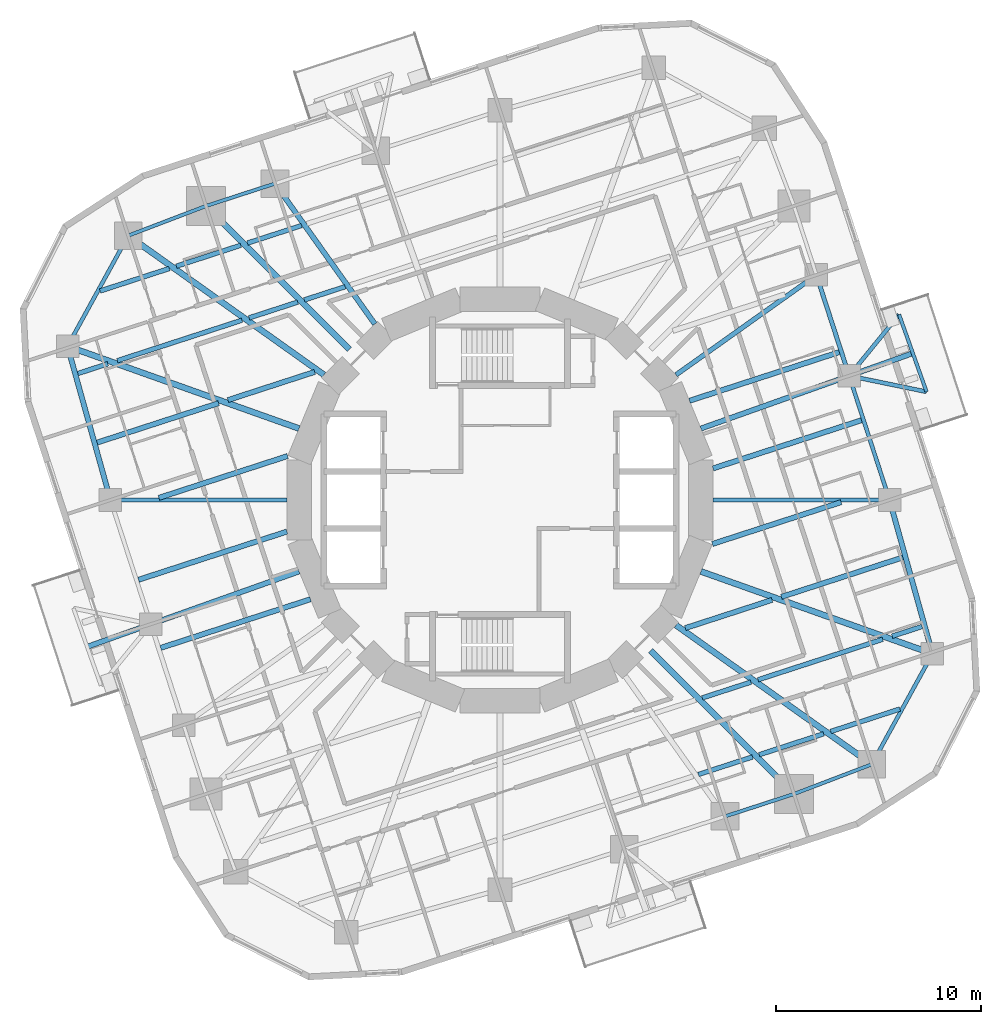
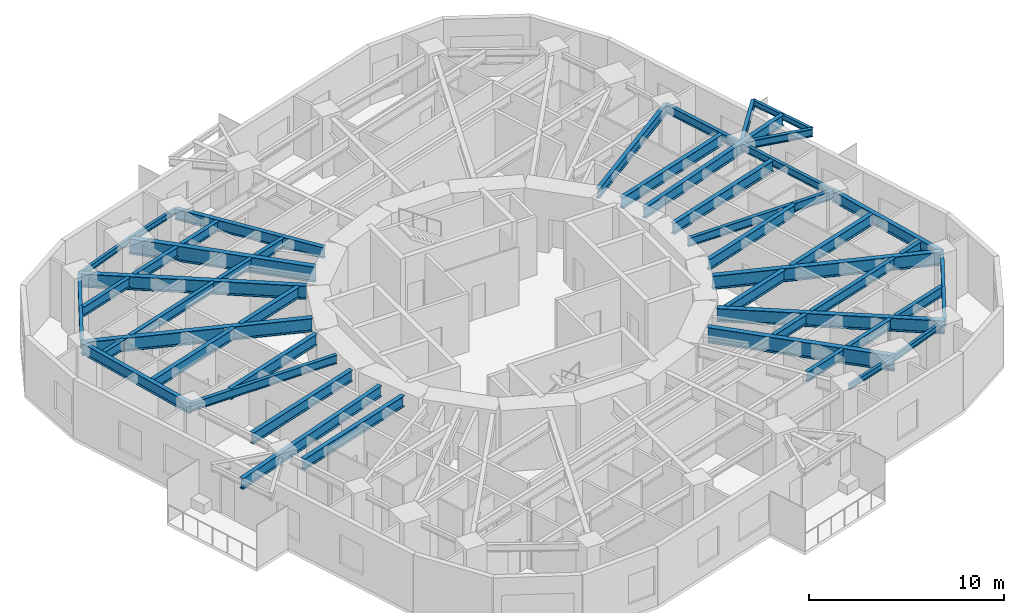
# One storey, part 2 of 12: 48 beams.
"""IFC4 building model written with IfcOpenShell, lengths in metres."""

from ifc_helpers import new_model, si_unit, direction, frame, origin, origin_2d, place, context, subcontext, project, spatial, i_section, extrude, material, material_profile, profile_set, type_object, element, save


model = new_model("IFC4")

# Units and contexts
model_context = context("Model", 3, precision=1e-05, world=origin(), true_north=direction((0.0, 1.0)))
body_context = subcontext(model_context, "Body", "Model", "MODEL_VIEW")
ifc_project = project(units=[si_unit("LENGTHUNIT", "METRE"), si_unit("AREAUNIT", "SQUARE_METRE"), si_unit("VOLUMEUNIT", "CUBIC_METRE"), si_unit("PLANEANGLEUNIT", "RADIAN"), si_unit("MASSUNIT", "GRAM", prefix="KILO")], contexts=[model_context])

# Site, building, storey
site_placement = place(None, origin())
site = spatial("IfcSite", under=ifc_project, at=site_placement, CompositionType="ELEMENT")
building_placement = place(site_placement, origin())
building = spatial("IfcBuilding", under=site, at=building_placement, Name="Nakasero Lantern House", CompositionType="ELEMENT")
storey_placement = place(building_placement, frame((0.0, 0.0, 149.5)))
storey = spatial("IfcBuildingStorey", under=building, at=storey_placement, Name="L36", CompositionType="ELEMENT", Elevation=149.5)

# Beams
ifc_material_1 = material(Name="Steel S355", Category="steel")
ifc_material_profile_1 = material_profile(ifc_material_1, i_section(OverallWidth=0.199462890625, OverallDepth=0.491943359375, WebThickness=0.01806640625, FlangeThickness=0.031982421875, FilletRadius=0.01025390625, at=origin_2d()), Name="UB 457x191x161")
ifc_profile_set_1 = profile_set([ifc_material_profile_1], Name="Steel S355")
beam_type_1 = type_object("IfcBeamType", Name="Balcony splay beam UB 457x191x161", PredefinedType="BEAM", material=ifc_profile_set_1)
for number, where, z_axis, x_axis, name in (
    (1, (17.060546875, 6.06591796875, 3.404052734375), (0.632127727159, 0.774864205236, 0.0), (-0.774864205236, 0.632127727159, 0.0), "Balcony splay beam L37 B4-C04A"),
    (2, (17.060546875, 6.06591796875, 3.404052734375), (0.979420272605, -0.201831438605, 0.0), (0.201831438605, 0.979420272605, 0.0), "Balcony splay beam L37 B4-C04B"),
):
    element("IfcBeam", number, at=place(storey_placement, frame(where, z_axis=z_axis, x_axis=x_axis)), inside=storey, type_object=beam_type_1, Name=name, PredefinedType="BEAM", context=body_context, shape_type="SweptSolid", body=[
        extrude(i_section(OverallWidth=0.199462890625, OverallDepth=0.491943359375, WebThickness=0.01806640625, FlangeThickness=0.031982421875, FilletRadius=0.01025390625, at=origin_2d()), origin(), (0.0, 0.0, 1.0), 3.858642578125),
    ])
ifc_material_2 = material(Name="Steel S355", Category="steel")
ifc_material_profile_2 = material_profile(ifc_material_2, i_section(OverallWidth=0.17138671875, OverallDepth=0.35498046875, WebThickness=0.00732421875, FlangeThickness=0.011474609375, FilletRadius=0.01025390625, at=origin_2d()), Name="UB 356x171x51")
ifc_profile_set_2 = profile_set([ifc_material_profile_2], Name="Steel S355")
beam_type_2 = type_object("IfcBeamType", Name="Balcony tie beam UB 356x171x51", PredefinedType="BEAM", material=ifc_profile_set_2)
beam_1_placement = place(storey_placement, frame((19.499755859375, 9.055908203125, 3.472412109375), z_axis=(0.335025321236, -0.942209124415, 0.0), x_axis=(0.942209124415, 0.335025321236, 0.0)))
element("IfcBeam", 3, at=beam_1_placement, inside=storey, type_object=beam_type_2, Name="Balcony tie beam L37 B4-C04", PredefinedType="BEAM", context=body_context, shape_type="SweptSolid", body=[
    extrude(i_section(OverallWidth=0.17138671875, OverallDepth=0.35498046875, WebThickness=0.00732421875, FlangeThickness=0.011474609375, FilletRadius=0.01025390625, at=origin_2d()), origin(), (0.0, 0.0, 1.0), 4.0),
])
ifc_material_3 = material(Name="Steel S355", Category="steel")
ifc_material_profile_3 = material_profile(ifc_material_3, i_section(OverallWidth=0.22900390625, OverallDepth=0.6123046875, WebThickness=0.011962890625, FlangeThickness=0.01953125, FilletRadius=0.0126953125, at=origin_2d()), Name="UB 610x229x125")
ifc_profile_set_3 = profile_set([ifc_material_profile_3], Name="Steel S355")
beam_type_3 = type_object("IfcBeamType", Name="Infill beam UB 610x229x125", PredefinedType="JOIST", material=ifc_profile_set_3)
beam_2_placement = place(storey_placement, frame((9.692626953125, -13.4111328125, 3.343994140625), z_axis=(0.951059855583, 0.309006716915, 0.0), x_axis=(-0.309006716915, 0.951059855583, 0.0)))
element("IfcBeam", 4, at=beam_2_placement, inside=storey, type_object=beam_type_3, Name="Infill beam L37 03.5", PredefinedType="JOIST", context=body_context, shape_type="SweptSolid", body=[
    extrude(i_section(OverallWidth=0.22900390625, OverallDepth=0.6123046875, WebThickness=0.011962890625, FlangeThickness=0.01953125, FilletRadius=0.0126953125, at=origin_2d()), origin(), (0.0, 0.0, 1.0), 2.78271484375),
])
beam_3_placement = place(storey_placement, frame((12.659423828125, -12.447265625, 3.343994140625), z_axis=(0.951057343237, 0.309014449297, 0.0), x_axis=(-0.309014449297, 0.951057343237, 0.0)))
element("IfcBeam", 5, at=beam_3_placement, inside=storey, type_object=beam_type_3, Name="Infill beam L37 03.6", PredefinedType="JOIST", context=body_context, shape_type="SweptSolid", body=[
    extrude(i_section(OverallWidth=0.22900390625, OverallDepth=0.6123046875, WebThickness=0.011962890625, FlangeThickness=0.01953125, FilletRadius=0.0126953125, at=origin_2d()), origin(), (0.0, 0.0, 1.0), 3.314208984375),
])
beam_4_placement = place(storey_placement, frame((16.15771484375, -11.310546875, 3.343994140625), z_axis=(0.951052231022, 0.309030182777, 0.0), x_axis=(-0.309030182777, 0.951052231022, 0.0)))
element("IfcBeam", 6, at=beam_4_placement, inside=storey, type_object=beam_type_3, Name="Infill beam L37 03.7", PredefinedType="JOIST", context=body_context, shape_type="SweptSolid", body=[
    extrude(i_section(OverallWidth=0.22900390625, OverallDepth=0.6123046875, WebThickness=0.011962890625, FlangeThickness=0.01953125, FilletRadius=0.0126953125, at=origin_2d()), origin(), (0.0, 0.0, 1.0), 3.555908203125),
])
beam_5_placement = place(storey_placement, frame((9.8818359375, -9.669677734375, 3.343994140625), z_axis=(0.95105846813, 0.30901098718, 0.0), x_axis=(-0.30901098718, 0.95105846813, 0.0)))
element("IfcBeam", 7, at=beam_5_placement, inside=storey, type_object=beam_type_3, Name="Infill beam L37 04.6", PredefinedType="JOIST", context=body_context, shape_type="SweptSolid", body=[
    extrude(i_section(OverallWidth=0.22900390625, OverallDepth=0.6123046875, WebThickness=0.011962890625, FlangeThickness=0.01953125, FilletRadius=0.0126953125, at=origin_2d()), origin(), (0.0, 0.0, 1.0), 2.499755859375),
])
beam_6_placement = place(storey_placement, frame((12.605712890625, -8.78466796875, 3.343994140625), z_axis=(0.951048625867, 0.309041277561, 0.0), x_axis=(-0.309041277561, 0.951048625867, 0.0)))
element("IfcBeam", 8, at=beam_6_placement, inside=storey, type_object=beam_type_3, Name="Infill beam L37 04.7", PredefinedType="JOIST", context=body_context, shape_type="SweptSolid", body=[
    extrude(i_section(OverallWidth=0.22900390625, OverallDepth=0.6123046875, WebThickness=0.011962890625, FlangeThickness=0.01953125, FilletRadius=0.0126953125, at=origin_2d()), origin(), (0.0, 0.0, 1.0), 6.408447265625),
])
beam_7_placement = place(storey_placement, frame((19.156494140625, -6.656005859375, 3.343994140625), z_axis=(0.951091008976, 0.308910816652, 0.0), x_axis=(-0.308910816652, 0.951091008976, 0.0)))
element("IfcBeam", 9, at=beam_7_placement, inside=storey, type_object=beam_type_3, Name="Infill beam L37 04.8", PredefinedType="JOIST", context=body_context, shape_type="SweptSolid", body=[
    extrude(i_section(OverallWidth=0.22900390625, OverallDepth=0.6123046875, WebThickness=0.011962890625, FlangeThickness=0.01953125, FilletRadius=0.0126953125, at=origin_2d()), origin(), (0.0, 0.0, 1.0), 1.54345703125),
])
beam_8_placement = place(storey_placement, frame((-20.62548828125, 6.1787109375, 3.343994140625), z_axis=(0.95105845859, 0.309011016544, 0.0), x_axis=(-0.309011016544, 0.95105845859, 0.0)))
element("IfcBeam", 10, at=beam_8_placement, inside=storey, type_object=beam_type_3, Name="Infill beam L37 11.1", PredefinedType="JOIST", context=body_context, shape_type="SweptSolid", body=[
    extrude(i_section(OverallWidth=0.22900390625, OverallDepth=0.6123046875, WebThickness=0.011962890625, FlangeThickness=0.01953125, FilletRadius=0.0126953125, at=origin_2d()), origin(), (0.0, 0.0, 1.0), 1.544677734375),
])
beam_9_placement = place(storey_placement, frame((-18.700439453125, 6.80419921875, 3.343994140625), z_axis=(0.951048625867, 0.309041277561, 0.0), x_axis=(-0.309041277561, 0.951048625867, 0.0)))
element("IfcBeam", 11, at=beam_9_placement, inside=storey, type_object=beam_type_3, Name="Infill beam L37 11.2", PredefinedType="JOIST", context=body_context, shape_type="SweptSolid", body=[
    extrude(i_section(OverallWidth=0.22900390625, OverallDepth=0.6123046875, WebThickness=0.011962890625, FlangeThickness=0.01953125, FilletRadius=0.0126953125, at=origin_2d()), origin(), (0.0, 0.0, 1.0), 6.408447265625),
])
beam_10_placement = place(storey_placement, frame((-12.25927734375, 8.897216796875, 3.343994140625), z_axis=(0.95105846813, 0.30901098718, 0.0), x_axis=(-0.30901098718, 0.95105846813, 0.0)))
element("IfcBeam", 12, at=beam_10_placement, inside=storey, type_object=beam_type_3, Name="Infill beam L37 11.3", PredefinedType="JOIST", context=body_context, shape_type="SweptSolid", body=[
    extrude(i_section(OverallWidth=0.22900390625, OverallDepth=0.6123046875, WebThickness=0.011962890625, FlangeThickness=0.01953125, FilletRadius=0.0126953125, at=origin_2d()), origin(), (0.0, 0.0, 1.0), 2.499755859375),
])
beam_11_placement = place(storey_placement, frame((-9.5615234375, 9.773681640625, 3.343994140625), z_axis=(0.951053739923, 0.30902553904, 0.0), x_axis=(-0.30902553904, 0.951053739923, 0.0)))
element("IfcBeam", 13, at=beam_11_placement, inside=storey, type_object=beam_type_3, Name="Infill beam L37 11.4", PredefinedType="JOIST", context=body_context, shape_type="SweptSolid", body=[
    extrude(i_section(OverallWidth=0.22900390625, OverallDepth=0.6123046875, WebThickness=0.011962890625, FlangeThickness=0.01953125, FilletRadius=0.0126953125, at=origin_2d()), origin(), (0.0, 0.0, 1.0), 2.09765625),
])
beam_12_placement = place(storey_placement, frame((-19.53955078125, 10.211669921875, 3.343994140625), z_axis=(0.951052231022, 0.309030182777, 0.0), x_axis=(-0.309030182777, 0.951052231022, 0.0)))
element("IfcBeam", 14, at=beam_12_placement, inside=storey, type_object=beam_type_3, Name="Infill beam L37 12.1", PredefinedType="JOIST", context=body_context, shape_type="SweptSolid", body=[
    extrude(i_section(OverallWidth=0.22900390625, OverallDepth=0.6123046875, WebThickness=0.011962890625, FlangeThickness=0.01953125, FilletRadius=0.0126953125, at=origin_2d()), origin(), (0.0, 0.0, 1.0), 3.555908203125),
])
beam_13_placement = place(storey_placement, frame((-15.8115234375, 11.423095703125, 3.343994140625), z_axis=(0.951057343237, 0.309014449297, 0.0), x_axis=(-0.309014449297, 0.951057343237, 0.0)))
element("IfcBeam", 15, at=beam_13_placement, inside=storey, type_object=beam_type_3, Name="Infill beam L37 12.2", PredefinedType="JOIST", context=body_context, shape_type="SweptSolid", body=[
    extrude(i_section(OverallWidth=0.22900390625, OverallDepth=0.6123046875, WebThickness=0.011962890625, FlangeThickness=0.01953125, FilletRadius=0.0126953125, at=origin_2d()), origin(), (0.0, 0.0, 1.0), 3.314208984375),
])
beam_14_placement = place(storey_placement, frame((-12.339111328125, 12.55126953125, 3.343994140625), z_axis=(0.951059855583, 0.309006716915, 0.0), x_axis=(-0.309006716915, 0.951059855583, 0.0)))
element("IfcBeam", 16, at=beam_14_placement, inside=storey, type_object=beam_type_3, Name="Infill beam L37 12.3", PredefinedType="JOIST", context=body_context, shape_type="SweptSolid", body=[
    extrude(i_section(OverallWidth=0.22900390625, OverallDepth=0.6123046875, WebThickness=0.011962890625, FlangeThickness=0.01953125, FilletRadius=0.0126953125, at=origin_2d()), origin(), (0.0, 0.0, 1.0), 2.78271484375),
])
ifc_material_4 = material(Name="Steel S355", Category="steel")
ifc_material_profile_4 = material_profile(ifc_material_4, i_section(OverallWidth=0.253662109375, OverallDepth=0.68359375, WebThickness=0.012451171875, FlangeThickness=0.01904296875, FilletRadius=0.01513671875, at=origin_2d()), Name="UB 686x254x140")
ifc_profile_set_4 = profile_set([ifc_material_profile_4], Name="Steel S355")
beam_type_4 = type_object("IfcBeamType", Name="Infill beam UB 686x254x140", PredefinedType="JOIST", material=ifc_profile_set_4)
beam_15_placement = place(storey_placement, frame((9.053466796875, -6.258544921875, 3.308349609375), z_axis=(0.951065863794, 0.308988224251, 0.0), x_axis=(-0.308988224251, 0.951065863794, 0.0)))
element("IfcBeam", 17, at=beam_15_placement, inside=storey, type_object=beam_type_4, Name="Infill beam L37 05.3", PredefinedType="JOIST", context=body_context, shape_type="SweptSolid", body=[
    extrude(i_section(OverallWidth=0.253662109375, OverallDepth=0.68359375, WebThickness=0.012451171875, FlangeThickness=0.01904296875, FilletRadius=0.01513671875, at=origin_2d()), origin(), (0.0, 0.0, 1.0), 4.45703125),
])
beam_16_placement = place(storey_placement, frame((13.74853515625, -4.733154296875, 3.308349609375), z_axis=(0.951054771624, 0.309022363871, 0.0), x_axis=(-0.309022363871, 0.951054771624, 0.0)))
element("IfcBeam", 18, at=beam_16_placement, inside=storey, type_object=beam_type_4, Name="Infill beam L37 05.4", PredefinedType="JOIST", context=body_context, shape_type="SweptSolid", body=[
    extrude(i_section(OverallWidth=0.253662109375, OverallDepth=0.68359375, WebThickness=0.012451171875, FlangeThickness=0.01904296875, FilletRadius=0.01513671875, at=origin_2d()), origin(), (0.0, 0.0, 1.0), 6.239013671875),
])
for number, where, z_axis, x_axis, name in (
    (19, (10.375244140625, -2.149169921875, 3.308349609375), (0.951051425994, 0.309032660271, 0.0), (-0.309032660271, 0.951051425994, 0.0), "Infill beam L37 06.2"),
    (20, (-16.666259765625, 0.10498046875, 3.308349609375), (0.951051425994, 0.309032660271, 0.0), (-0.309032660271, 0.951051425994, 0.0), "Infill beam L37 09.1"),
):
    element("IfcBeam", number, at=place(storey_placement, frame(where, z_axis=z_axis, x_axis=x_axis)), inside=storey, type_object=beam_type_4, Name=name, PredefinedType="JOIST", context=body_context, shape_type="SweptSolid", body=[
        extrude(i_section(OverallWidth=0.253662109375, OverallDepth=0.68359375, WebThickness=0.012451171875, FlangeThickness=0.01904296875, FilletRadius=0.01513671875, at=origin_2d()), origin(), (0.0, 0.0, 1.0), 6.61474609375),
    ])
beam_17_placement = place(storey_placement, frame((-19.68310546875, 2.804931640625, 3.308349609375), z_axis=(0.951058217804, 0.30901175762, 0.0), x_axis=(-0.30901175762, 0.951058217804, 0.0)))
element("IfcBeam", 21, at=beam_17_placement, inside=storey, type_object=beam_type_4, Name="Infill beam L37 10.1", PredefinedType="JOIST", context=body_context, shape_type="SweptSolid", body=[
    extrude(i_section(OverallWidth=0.253662109375, OverallDepth=0.68359375, WebThickness=0.012451171875, FlangeThickness=0.01904296875, FilletRadius=0.01513671875, at=origin_2d()), origin(), (0.0, 0.0, 1.0), 6.239990234375),
])
beam_18_placement = place(storey_placement, frame((-13.29248046875, 4.88134765625, 3.308349609375), z_axis=(0.951065863794, 0.308988224251, 0.0), x_axis=(-0.308988224251, 0.951065863794, 0.0)))
element("IfcBeam", 22, at=beam_18_placement, inside=storey, type_object=beam_type_4, Name="Infill beam L37 10.2", PredefinedType="JOIST", context=body_context, shape_type="SweptSolid", body=[
    extrude(i_section(OverallWidth=0.253662109375, OverallDepth=0.68359375, WebThickness=0.012451171875, FlangeThickness=0.01904296875, FilletRadius=0.01513671875, at=origin_2d()), origin(), (0.0, 0.0, 1.0), 4.45703125),
])
ifc_material_5 = material(Name="Steel S355", Category="steel")
ifc_material_profile_5 = material_profile(ifc_material_5, i_section(OverallWidth=0.255859375, OverallDepth=0.69287109375, WebThickness=0.014404296875, FlangeThickness=0.023681640625, FilletRadius=0.01513671875, at=origin_2d()), Name="UB 686x254x170")
ifc_profile_set_5 = profile_set([ifc_material_profile_5], Name="Steel S355")
beam_type_5 = type_object("IfcBeamType", Name="Infill beam UB 686x254x170", PredefinedType="JOIST", material=ifc_profile_set_5)
beam_19_placement = place(storey_placement, frame((-16.573486328125, -7.22509765625, 3.303466796875), z_axis=(0.951055290106, 0.309020768171, 0.0), x_axis=(-0.309020768171, 0.951055290106, 0.0)))
element("IfcBeam", 23, at=beam_19_placement, inside=storey, type_object=beam_type_5, Name="Infill beam L37 07.1", PredefinedType="JOIST", context=body_context, shape_type="SweptSolid", body=[
    extrude(i_section(OverallWidth=0.255859375, OverallDepth=0.69287109375, WebThickness=0.014404296875, FlangeThickness=0.023681640625, FilletRadius=0.01513671875, at=origin_2d()), origin(), (0.0, 0.0, 1.0), 7.692626953125),
])
for number, where, z_axis, x_axis, name in (
    (24, (10.407958984375, 1.541748046875, 3.303466796875), (0.95106204683, 0.308999972622, 0.0), (-0.308999972622, 0.95106204683, 0.0), "Infill beam L37 07.2"),
    (25, (-17.66455078125, -3.8994140625, 3.303466796875), (0.95106204683, 0.308999972622, 0.0), (-0.308999972622, 0.95106204683, 0.0), "Infill beam L37 08.1"),
):
    element("IfcBeam", number, at=place(storey_placement, frame(where, z_axis=z_axis, x_axis=x_axis)), inside=storey, type_object=beam_type_5, Name=name, PredefinedType="JOIST", context=body_context, shape_type="SweptSolid", body=[
        extrude(i_section(OverallWidth=0.255859375, OverallDepth=0.69287109375, WebThickness=0.014404296875, FlangeThickness=0.023681640625, FilletRadius=0.01513671875, at=origin_2d()), origin(), (0.0, 0.0, 1.0), 7.6298828125),
    ])
beam_20_placement = place(storey_placement, frame((9.25732421875, 4.847900390625, 3.303466796875), z_axis=(0.951055290106, 0.309020768171, 0.0), x_axis=(-0.309020768171, 0.951055290106, 0.0)))
element("IfcBeam", 26, at=beam_20_placement, inside=storey, type_object=beam_type_5, Name="Infill beam L37 08.2", PredefinedType="JOIST", context=body_context, shape_type="SweptSolid", body=[
    extrude(i_section(OverallWidth=0.255859375, OverallDepth=0.69287109375, WebThickness=0.014404296875, FlangeThickness=0.023681640625, FilletRadius=0.01513671875, at=origin_2d()), origin(), (0.0, 0.0, 1.0), 7.692626953125),
])
ifc_material_6 = material(Name="Steel S355", Category="steel")
ifc_material_profile_6 = material_profile(ifc_material_6, i_section(OverallWidth=0.300048828125, OverallDepth=0.97021484375, WebThickness=0.01611328125, FlangeThickness=0.02099609375, FilletRadius=0.030029296875, at=origin_2d()), Name="UB 1016x305x222")
ifc_profile_set_6 = profile_set([ifc_material_profile_6], Name="Steel S355")
beam_type_6 = type_object("IfcBeamType", Name="Primary beam UB 1016x305x222, span 9 to 12 m", PredefinedType="BEAM", material=ifc_profile_set_6)
for number, where, z_axis, x_axis, name in (
    (27, (-14.3642578125, 14.3642578125, 3.164794921875), (0.707106781187, -0.707106781187, 0.0), (0.707106781187, 0.707106781187, 0.0), "Primary beam L37 B4-C12"),
    (28, (14.3642578125, -14.3642578125, 3.164794921875), (-0.707106781187, 0.707106781187, 0.0), (-0.707106781187, -0.707106781187, 0.0), "Primary beam L37 B4-C24"),
):
    element("IfcBeam", number, at=place(storey_placement, frame(where, z_axis=z_axis, x_axis=x_axis)), inside=storey, type_object=beam_type_6, Name=name, PredefinedType="BEAM", context=body_context, shape_type="SweptSolid", body=[
        extrude(i_section(OverallWidth=0.300048828125, OverallDepth=0.97021484375, WebThickness=0.01611328125, FlangeThickness=0.02099609375, FilletRadius=0.030029296875, at=origin_2d()), origin(), (0.0, 0.0, 1.0), 9.906494140625),
    ])
ifc_material_7 = material(Name="Steel S355", Category="steel")
ifc_material_profile_7 = material_profile(ifc_material_7, i_section(OverallWidth=0.2099609375, OverallDepth=0.53662109375, WebThickness=0.0107421875, FlangeThickness=0.017333984375, FilletRadius=0.0126953125, at=origin_2d()), Name="UB 533x210x101")
ifc_profile_set_7 = profile_set([ifc_material_profile_7], Name="Steel S355")
beam_type_7 = type_object("IfcBeamType", Name="Primary beam UB 533x210x101, span 6 to 9 m", PredefinedType="BEAM", material=ifc_profile_set_7)
for number, where, z_axis, x_axis, name in (
    (29, (19.031494140625, 0.0, 3.381591796875), (-1.0, 0.0, 0.0), (0.0, -1.0, 0.0), "Primary beam L37 B4-C03"),
    (30, (-19.031494140625, 0.0, 3.381591796875), (1.0, 0.0, 0.0), (0.0, 1.0, 0.0), "Primary beam L37 B4-C15"),
):
    element("IfcBeam", number, at=place(storey_placement, frame(where, z_axis=z_axis, x_axis=x_axis)), inside=storey, type_object=beam_type_7, Name=name, PredefinedType="BEAM", context=body_context, shape_type="SweptSolid", body=[
        extrude(i_section(OverallWidth=0.2099609375, OverallDepth=0.53662109375, WebThickness=0.0107421875, FlangeThickness=0.017333984375, FilletRadius=0.0126953125, at=origin_2d()), origin(), (0.0, 0.0, 1.0), 8.62353515625),
    ])
ifc_material_8 = material(Name="Steel S355", Category="steel")
ifc_material_profile_8 = material_profile(ifc_material_8, i_section(OverallWidth=0.22900390625, OverallDepth=0.6123046875, WebThickness=0.011962890625, FlangeThickness=0.01953125, FilletRadius=0.0126953125, at=origin_2d()), Name="UB 610x229x125")
ifc_profile_set_8 = profile_set([ifc_material_profile_8], Name="Steel S355")
beam_type_8 = type_object("IfcBeamType", Name="Primary beam UB 610x229x125, span 6 to 9 m", PredefinedType="BEAM", material=ifc_profile_set_8)
beam_21_placement = place(storey_placement, frame((15.45947265625, 10.993408203125, 3.343994140625), z_axis=(-0.81495106139, -0.579529781409, 0.0), x_axis=(0.579529781409, -0.81495106139, 0.0)))
element("IfcBeam", 31, at=beam_21_placement, inside=storey, type_object=beam_type_8, Name="Primary beam L37 B4-C05", PredefinedType="BEAM", context=body_context, shape_type="SweptSolid", body=[
    extrude(i_section(OverallWidth=0.22900390625, OverallDepth=0.6123046875, WebThickness=0.011962890625, FlangeThickness=0.01953125, FilletRadius=0.0126953125, at=origin_2d()), origin(), (0.0, 0.0, 1.0), 8.41455078125),
])
ifc_material_9 = material(Name="Steel S355", Category="steel")
ifc_material_profile_9 = material_profile(ifc_material_9, i_section(OverallWidth=0.253662109375, OverallDepth=0.68359375, WebThickness=0.012451171875, FlangeThickness=0.01904296875, FilletRadius=0.01513671875, at=origin_2d()), Name="UB 686x254x140")
ifc_profile_set_9 = profile_set([ifc_material_profile_9], Name="Steel S355")
beam_type_9 = type_object("IfcBeamType", Name="Primary beam UB 686x254x140, span 6 to 9 m", PredefinedType="BEAM", material=ifc_profile_set_9)
beam_22_placement = place(storey_placement, frame((20.169921875, 7.17138671875, 3.308349609375), z_axis=(-0.942215625619, -0.335007036998, 0.0), x_axis=(0.335007036998, -0.942215625619, 0.0)))
element("IfcBeam", 32, at=beam_22_placement, inside=storey, type_object=beam_type_9, Name="Primary beam L37 B4-C04", PredefinedType="BEAM", context=body_context, shape_type="SweptSolid", body=[
    extrude(i_section(OverallWidth=0.253662109375, OverallDepth=0.68359375, WebThickness=0.012451171875, FlangeThickness=0.01904296875, FilletRadius=0.01513671875, at=origin_2d()), origin(), (0.0, 0.0, 1.0), 10.9853515625),
])
beam_23_placement = place(storey_placement, frame((-10.993408203125, 15.45947265625, 3.308349609375), z_axis=(0.579529781409, -0.81495106139, 0.0), x_axis=(0.81495106139, 0.579529781409, 0.0)))
element("IfcBeam", 33, at=beam_23_placement, inside=storey, type_object=beam_type_9, Name="Primary beam L37 B4-C11", PredefinedType="BEAM", context=body_context, shape_type="SweptSolid", body=[
    extrude(i_section(OverallWidth=0.253662109375, OverallDepth=0.68359375, WebThickness=0.012451171875, FlangeThickness=0.01904296875, FilletRadius=0.01513671875, at=origin_2d()), origin(), (0.0, 0.0, 1.0), 8.41455078125),
])
beam_24_placement = place(storey_placement, frame((-20.169921875, -7.17138671875, 3.308349609375), z_axis=(0.942215625619, 0.335007036998, 0.0), x_axis=(-0.335007036998, 0.942215625619, 0.0)))
element("IfcBeam", 34, at=beam_24_placement, inside=storey, type_object=beam_type_9, Name="Primary beam L37 B4-C16", PredefinedType="BEAM", context=body_context, shape_type="SweptSolid", body=[
    extrude(i_section(OverallWidth=0.253662109375, OverallDepth=0.68359375, WebThickness=0.012451171875, FlangeThickness=0.01904296875, FilletRadius=0.01513671875, at=origin_2d()), origin(), (0.0, 0.0, 1.0), 10.9853515625),
])
ifc_material_10 = material(Name="Steel S355", Category="steel")
ifc_material_profile_10 = material_profile(ifc_material_10, i_section(OverallWidth=0.29248046875, OverallDepth=0.8408203125, WebThickness=0.0146484375, FlangeThickness=0.02685546875, FilletRadius=0.017822265625, at=origin_2d()), Name="UB 838x292x194")
ifc_profile_set_10 = profile_set([ifc_material_profile_10], Name="Steel S355")
beam_type_10 = type_object("IfcBeamType", Name="Primary beam UB 838x292x194, span 12 to 15 m", PredefinedType="BEAM", material=ifc_profile_set_10)
for number, where, z_axis, x_axis, name in (
    (35, (21.129638671875, -7.5126953125, 3.229736328125), (-0.942213548974, 0.335012877559, 0.0), (-0.335012877559, -0.942213548974, 0.0), "Primary beam L37 B4-C02"),
    (36, (-21.129638671875, 7.5126953125, 3.229736328125), (0.942213548974, -0.335012877559, 0.0), (0.335012877559, 0.942213548974, 0.0), "Primary beam L37 B4-C14"),
):
    element("IfcBeam", number, at=place(storey_placement, frame(where, z_axis=z_axis, x_axis=x_axis)), inside=storey, type_object=beam_type_10, Name=name, PredefinedType="BEAM", context=body_context, shape_type="SweptSolid", body=[
        extrude(i_section(OverallWidth=0.29248046875, OverallDepth=0.8408203125, WebThickness=0.0146484375, FlangeThickness=0.02685546875, FilletRadius=0.017822265625, at=origin_2d()), origin(), (0.0, 0.0, 1.0), 12.00390625),
    ])
ifc_material_11 = material(Name="Steel S355", Category="steel")
ifc_material_profile_11 = material_profile(ifc_material_11, i_section(OverallWidth=0.29248046875, OverallDepth=0.8408203125, WebThickness=0.0146484375, FlangeThickness=0.02685546875, FilletRadius=0.017822265625, at=origin_2d()), Name="UB 838x292x194")
ifc_profile_set_11 = profile_set([ifc_material_profile_11], Name="Steel S355")
beam_type_11 = type_object("IfcBeamType", Name="Primary beam UB 838x292x194, span 9 to 12 m", PredefinedType="BEAM", material=ifc_profile_set_11)
for number, where, z_axis, x_axis, name in (
    (37, (18.1630859375, -12.916015625, 3.229736328125), (-0.814950738075, 0.579530236062, 0.0), (-0.579530236062, -0.814950738075, 0.0), "Primary beam L37 B4-C01"),
    (38, (-18.1630859375, 12.916015625, 3.229736328125), (0.814950738075, -0.579530236062, 0.0), (0.579530236062, 0.814950738075, 0.0), "Primary beam L37 B4-C13"),
):
    element("IfcBeam", number, at=place(storey_placement, frame(where, z_axis=z_axis, x_axis=x_axis)), inside=storey, type_object=beam_type_11, Name=name, PredefinedType="BEAM", context=body_context, shape_type="SweptSolid", body=[
        extrude(i_section(OverallWidth=0.29248046875, OverallDepth=0.8408203125, WebThickness=0.0146484375, FlangeThickness=0.02685546875, FilletRadius=0.017822265625, at=origin_2d()), origin(), (0.0, 0.0, 1.0), 11.73193359375),
    ])
ifc_material_12 = material(Name="Steel S355", Category="steel")
ifc_material_profile_12 = material_profile(ifc_material_12, i_section(OverallWidth=0.17138671875, OverallDepth=0.35498046875, WebThickness=0.00732421875, FlangeThickness=0.011474609375, FilletRadius=0.01025390625, at=origin_2d()), Name="UB 356x171x51")
ifc_profile_set_12 = profile_set([ifc_material_profile_12], Name="Steel S355")
beam_type_12 = type_object("IfcBeamType", Name="Ring beam UB 356x171x51", PredefinedType="BEAM", material=ifc_profile_set_12)
beam_25_placement = place(storey_placement, frame((-10.993408203125, 15.45947265625, 3.472412109375), z_axis=(-0.951059881727, -0.309006636447, 0.0), x_axis=(0.309006636447, -0.951059881727, 0.0)))
element("IfcBeam", 39, at=beam_25_placement, inside=storey, type_object=beam_type_12, Name="Ring beam L37 B4-C11", PredefinedType="BEAM", context=body_context, shape_type="SweptSolid", body=[
    extrude(i_section(OverallWidth=0.17138671875, OverallDepth=0.35498046875, WebThickness=0.00732421875, FlangeThickness=0.011474609375, FilletRadius=0.01025390625, at=origin_2d()), origin(), (0.0, 0.0, 1.0), 3.544189453125),
])
beam_26_placement = place(storey_placement, frame((-14.3642578125, 14.3642578125, 3.472412109375), z_axis=(-0.934400186194, -0.35622505813, 0.0), x_axis=(0.35622505813, -0.934400186194, 0.0)))
element("IfcBeam", 40, at=beam_26_placement, inside=storey, type_object=beam_type_12, Name="Ring beam L37 B4-C12", PredefinedType="BEAM", context=body_context, shape_type="SweptSolid", body=[
    extrude(i_section(OverallWidth=0.17138671875, OverallDepth=0.35498046875, WebThickness=0.00732421875, FlangeThickness=0.011474609375, FilletRadius=0.01025390625, at=origin_2d()), origin(), (0.0, 0.0, 1.0), 4.0654296875),
])
beam_27_placement = place(storey_placement, frame((10.993408203125, -15.45947265625, 3.472412109375), z_axis=(0.951059881727, 0.309006636447, 0.0), x_axis=(-0.309006636447, 0.951059881727, 0.0)))
element("IfcBeam", 41, at=beam_27_placement, inside=storey, type_object=beam_type_12, Name="Ring beam L37 B4-C23", PredefinedType="BEAM", context=body_context, shape_type="SweptSolid", body=[
    extrude(i_section(OverallWidth=0.17138671875, OverallDepth=0.35498046875, WebThickness=0.00732421875, FlangeThickness=0.011474609375, FilletRadius=0.01025390625, at=origin_2d()), origin(), (0.0, 0.0, 1.0), 3.544189453125),
])
beam_28_placement = place(storey_placement, frame((14.3642578125, -14.3642578125, 3.472412109375), z_axis=(0.934400186194, 0.35622505813, 0.0), x_axis=(-0.35622505813, 0.934400186194, 0.0)))
element("IfcBeam", 42, at=beam_28_placement, inside=storey, type_object=beam_type_12, Name="Ring beam L37 B4-C24", PredefinedType="BEAM", context=body_context, shape_type="SweptSolid", body=[
    extrude(i_section(OverallWidth=0.17138671875, OverallDepth=0.35498046875, WebThickness=0.00732421875, FlangeThickness=0.011474609375, FilletRadius=0.01025390625, at=origin_2d()), origin(), (0.0, 0.0, 1.0), 4.0654296875),
])
ifc_material_13 = material(Name="Steel S355", Category="steel")
ifc_material_profile_13 = material_profile(ifc_material_13, i_section(OverallWidth=0.18994140625, OverallDepth=0.453369140625, WebThickness=0.008544921875, FlangeThickness=0.0126953125, FilletRadius=0.01025390625, at=origin_2d()), Name="UB 457x191x67")
ifc_profile_set_13 = profile_set([ifc_material_profile_13], Name="Steel S355")
beam_type_13 = type_object("IfcBeamType", Name="Ring beam UB 457x191x67", PredefinedType="BEAM", material=ifc_profile_set_13)
beam_29_placement = place(storey_placement, frame((18.1630859375, -12.916015625, 3.42333984375), z_axis=(0.481261795861, 0.876576912681, 0.0), x_axis=(-0.876576912681, 0.481261795861, 0.0)))
element("IfcBeam", 43, at=beam_29_placement, inside=storey, type_object=beam_type_13, Name="Ring beam L37 B4-C01", PredefinedType="BEAM", context=body_context, shape_type="SweptSolid", body=[
    extrude(i_section(OverallWidth=0.18994140625, OverallDepth=0.453369140625, WebThickness=0.008544921875, FlangeThickness=0.0126953125, FilletRadius=0.01025390625, at=origin_2d()), origin(), (0.0, 0.0, 1.0), 6.1640625),
])
beam_30_placement = place(storey_placement, frame((19.031494140625, 0.0, 3.42333984375), z_axis=(-0.309018560274, 0.951056007502, 0.0), x_axis=(-0.951056007502, -0.309018560274, 0.0)))
element("IfcBeam", 44, at=beam_30_placement, inside=storey, type_object=beam_type_13, Name="Ring beam L37 B4-C03", PredefinedType="BEAM", context=body_context, shape_type="SweptSolid", body=[
    extrude(i_section(OverallWidth=0.18994140625, OverallDepth=0.453369140625, WebThickness=0.008544921875, FlangeThickness=0.0126953125, FilletRadius=0.01025390625, at=origin_2d()), origin(), (0.0, 0.0, 1.0), 6.378173828125),
])
beam_31_placement = place(storey_placement, frame((-18.1630859375, 12.916015625, 3.42333984375), z_axis=(-0.481261795861, -0.876576912681, 0.0), x_axis=(0.876576912681, -0.481261795861, 0.0)))
element("IfcBeam", 45, at=beam_31_placement, inside=storey, type_object=beam_type_13, Name="Ring beam L37 B4-C13", PredefinedType="BEAM", context=body_context, shape_type="SweptSolid", body=[
    extrude(i_section(OverallWidth=0.18994140625, OverallDepth=0.453369140625, WebThickness=0.008544921875, FlangeThickness=0.0126953125, FilletRadius=0.01025390625, at=origin_2d()), origin(), (0.0, 0.0, 1.0), 6.1640625),
])
ifc_material_14 = material(Name="Steel S355", Category="steel")
ifc_material_profile_14 = material_profile(ifc_material_14, i_section(OverallWidth=0.2099609375, OverallDepth=0.53662109375, WebThickness=0.0107421875, FlangeThickness=0.017333984375, FilletRadius=0.0126953125, at=origin_2d()), Name="UB 533x210x101")
ifc_profile_set_14 = profile_set([ifc_material_profile_14], Name="Steel S355")
beam_type_14 = type_object("IfcBeamType", Name="Ring beam UB 533x210x101", PredefinedType="BEAM", material=ifc_profile_set_14)
beam_32_placement = place(storey_placement, frame((17.060546875, 6.06591796875, 3.381591796875), z_axis=(-0.309023207396, 0.95105449754, 0.0), x_axis=(-0.95105449754, -0.309023207396, 0.0)))
element("IfcBeam", 46, at=beam_32_placement, inside=storey, type_object=beam_type_14, Name="Ring beam L37 B4-C04", PredefinedType="BEAM", context=body_context, shape_type="SweptSolid", body=[
    extrude(i_section(OverallWidth=0.2099609375, OverallDepth=0.53662109375, WebThickness=0.0107421875, FlangeThickness=0.017333984375, FilletRadius=0.0126953125, at=origin_2d()), origin(), (0.0, 0.0, 1.0), 5.18115234375),
])
ifc_material_15 = material(Name="Steel S355", Category="steel")
ifc_material_profile_15 = material_profile(ifc_material_15, i_section(OverallWidth=0.253662109375, OverallDepth=0.68359375, WebThickness=0.012451171875, FlangeThickness=0.01904296875, FilletRadius=0.01513671875, at=origin_2d()), Name="UB 686x254x140")
ifc_profile_set_15 = profile_set([ifc_material_profile_15], Name="Steel S355")
beam_type_15 = type_object("IfcBeamType", Name="Ring beam UB 686x254x140", PredefinedType="BEAM", material=ifc_profile_set_15)
beam_33_placement = place(storey_placement, frame((-21.129638671875, 7.5126953125, 3.308349609375), z_axis=(0.268986696047, -0.963143892339, 0.0), x_axis=(0.963143892339, 0.268986696047, 0.0)))
element("IfcBeam", 47, at=beam_33_placement, inside=storey, type_object=beam_type_15, Name="Ring beam L37 B4-C14", PredefinedType="BEAM", context=body_context, shape_type="SweptSolid", body=[
    extrude(i_section(OverallWidth=0.253662109375, OverallDepth=0.68359375, WebThickness=0.012451171875, FlangeThickness=0.01904296875, FilletRadius=0.01513671875, at=origin_2d()), origin(), (0.0, 0.0, 1.0), 7.80029296875),
])
ifc_material_16 = material(Name="Steel S355", Category="steel")
ifc_material_profile_16 = material_profile(ifc_material_16, i_section(OverallWidth=0.255859375, OverallDepth=0.69287109375, WebThickness=0.014404296875, FlangeThickness=0.023681640625, FilletRadius=0.01513671875, at=origin_2d()), Name="UB 686x254x170")
ifc_profile_set_16 = profile_set([ifc_material_profile_16], Name="Steel S355")
beam_type_16 = type_object("IfcBeamType", Name="Ring beam UB 686x254x170", PredefinedType="BEAM", material=ifc_profile_set_16)
beam_34_placement = place(storey_placement, frame((21.129638671875, -7.5126953125, 3.303466796875), z_axis=(-0.268986696047, 0.963143892339, 0.0), x_axis=(-0.963143892339, -0.268986696047, 0.0)))
element("IfcBeam", 48, at=beam_34_placement, inside=storey, type_object=beam_type_16, Name="Ring beam L37 B4-C02", PredefinedType="BEAM", context=body_context, shape_type="SweptSolid", body=[
    extrude(i_section(OverallWidth=0.255859375, OverallDepth=0.69287109375, WebThickness=0.014404296875, FlangeThickness=0.023681640625, FilletRadius=0.01513671875, at=origin_2d()), origin(), (0.0, 0.0, 1.0), 7.80029296875),
])

save(model, "model.ifc")
